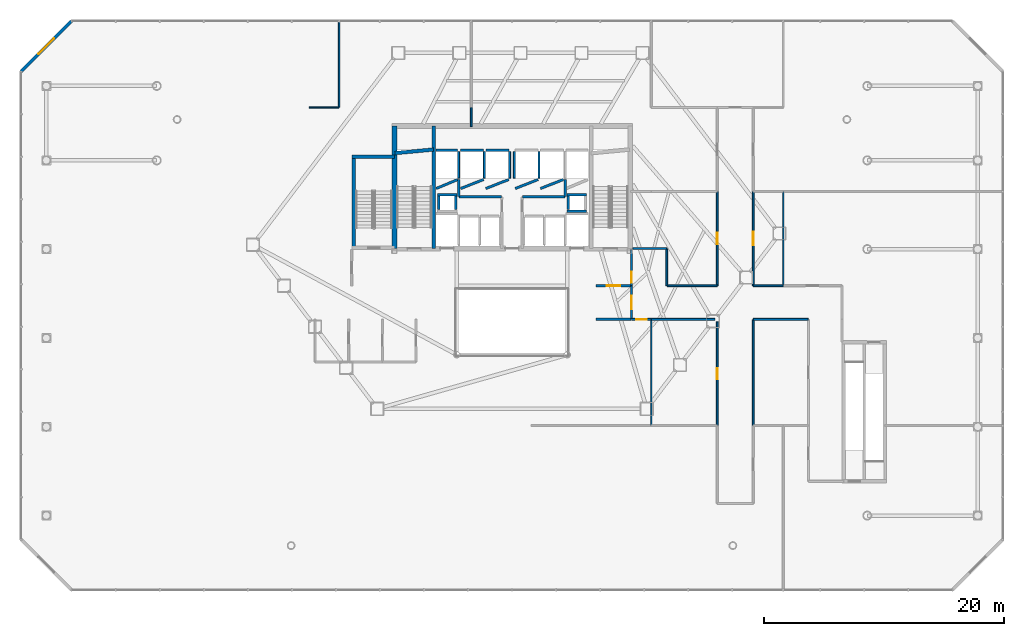
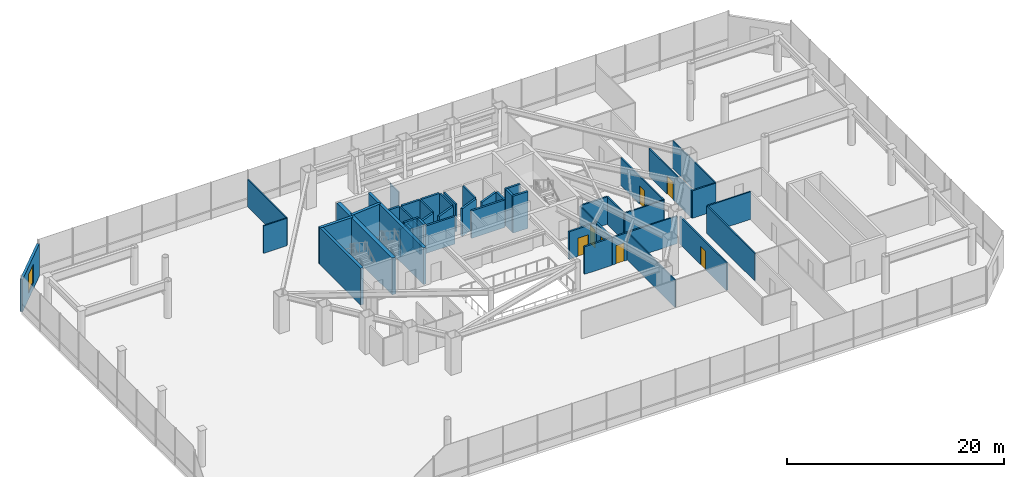
# One storey, part 39 of 43: 49 walls, 7 doors, 1 window, 8 openings.
"""IFC4 building model written with IfcOpenShell, lengths in metres."""

from ifc_helpers import new_model, si_unit, direction, frame, frame_2d, origin, place, context, subcontext, project, spatial, rectangle, extrude, material, layer, layer_set, type_object, element, fill, save


model = new_model("IFC4")

# Units and contexts
model_context = context("Model", 3, precision=1e-05, world=origin(), true_north=direction((0.0, 1.0)))
body_context = subcontext(model_context, "Body", "Model", "MODEL_VIEW")
ifc_project = project(units=[si_unit("LENGTHUNIT", "METRE"), si_unit("AREAUNIT", "SQUARE_METRE"), si_unit("VOLUMEUNIT", "CUBIC_METRE"), si_unit("PLANEANGLEUNIT", "RADIAN"), si_unit("MASSUNIT", "GRAM", prefix="KILO")], contexts=[model_context])

# Site, building, storey
site_placement = place(None, origin())
site = spatial("IfcSite", under=ifc_project, at=site_placement, CompositionType="ELEMENT")
building_placement = place(site_placement, origin())
building = spatial("IfcBuilding", under=site, at=building_placement, Name="Zarrinselat Tower", CompositionType="ELEMENT")
storey_placement = place(building_placement, frame((0.0, 0.0, 5.10009765625)))
storey = spatial("IfcBuildingStorey", under=building, at=storey_placement, Name="L01", CompositionType="ELEMENT", Elevation=5.10009765625)

# Wall, opening, window
ifc_material_1 = material(Name="Honed Cream Travertine Stone", Category="masonry")
ifc_layer_1 = layer(ifc_material_1, 0.260009765625)
ifc_layer_set_1 = layer_set([ifc_layer_1], Name="Honed Cream Travertine Stone")
wall_type_1 = type_object("IfcWallType", Name="WAL-EXT-STONE-260", PredefinedType="STANDARD", material=ifc_layer_set_1)
wall_1_placement = place(storey_placement, frame((-2.5, 48.0, 0.0), z_axis=(0.0, 0.0, 1.0), x_axis=(0.707106781187, 0.707106781187, 0.0)))
wall_1 = element("IfcWall", 1, at=wall_1_placement, inside=storey, type_object=wall_type_1, Name="L01 Chamfered Stone Corner Wall 5", PredefinedType="STANDARD", context=body_context, shape_type="SweptSolid", body=[
    extrude(rectangle(XDim=5.939697265625, YDim=0.260009765625, at=frame_2d((2.9697265625, 0.0))), origin(), (0.0, 0.0, 1.0), 3.64990234375),
])
opening_1_placement = place(wall_1_placement, frame((2.06982421875, 0.0, 0.699951171875)))
opening_1 = element("IfcOpeningElement", 2, at=opening_1_placement, cuts=wall_1, Name="Opening WN-2", PredefinedType="OPENING", context=body_context, shape_type="SweptSolid", body=[
    extrude(rectangle(XDim=1.800048828125, YDim=2.10009765625, at=frame_2d((0.89990234375, 1.050048828125))), frame((0.0, 0.139892578125, 0.0), z_axis=(0.0, -1.0, 0.0), x_axis=(1.0, 0.0, 0.0)), (0.0, 0.0, 1.0), 0.280029296875),
])
ifc_material_2 = material(Name="Double Low-E Laminated Solar Glass", Category="glass")
window_type = type_object("IfcWindowType", Name="WIN-GALLERY-1800", PartitioningType="SINGLE_PANEL", PredefinedType="WINDOW", material=ifc_material_2)
window_placement = place(opening_1_placement, origin())
window = element("IfcWindow", 3, at=window_placement, inside=storey, type_object=window_type, Name="L01 Corner Gallery Window 5", OverallHeight=2.10009765625, OverallWidth=1.800048828125, PartitioningType="SINGLE_PANEL", PredefinedType="WINDOW", context=body_context, shape_type="SweptSolid", body=[
    extrude(rectangle(XDim=1.800048828125, YDim=2.10009765625, at=frame_2d((0.89990234375, 1.050048828125))), frame((0.0, 0.030029296875, 0.0), z_axis=(0.0, -1.0, 0.0), x_axis=(1.0, 0.0, 0.0)), (0.0, 0.0, 1.0), 0.06005859375),
])
fill(opening_1, window)

# Wall, opening, door
ifc_material_3 = material(Name="Concrete C40/50", Category="concrete")
ifc_layer_2 = layer(ifc_material_3, 0.18994140625)
ifc_layer_set_2 = layer_set([ifc_layer_2], Name="Concrete C40/50")
wall_type_2 = type_object("IfcWallType", Name="WAL-PART-EI120", PredefinedType="PARTITIONING", material=ifc_layer_set_2)
wall_2_placement = place(storey_placement, frame((45.385009765625, 30.14990234375, 0.0), z_axis=(0.0, 0.0, 1.0), x_axis=(1.0, 0.0, 0.0)))
wall_2 = element("IfcWall", 4, at=wall_2_placement, inside=storey, type_object=wall_type_2, Name="L01 Partition Wall 7", PredefinedType="PARTITIONING", context=body_context, shape_type="SweptSolid", body=[
    extrude(rectangle(XDim=2.945068359375, YDim=0.18994140625, at=frame_2d((1.47265625, 0.0))), origin(), (0.0, 0.0, 1.0), 3.096923828125),
])
opening_2_placement = place(wall_2_placement, frame((0.91259765625, 0.0, 0.0)))
opening_2 = element("IfcOpeningElement", 5, at=opening_2_placement, cuts=wall_2, Name="Opening ID-02", PredefinedType="OPENING", context=body_context, shape_type="SweptSolid", body=[
    extrude(rectangle(XDim=1.1201171875, YDim=2.050048828125, at=frame_2d((0.56005859375, 1.02490234375))), frame((0.0, 0.10498046875, 0.0), z_axis=(0.0, -1.0, 0.0), x_axis=(1.0, 0.0, 0.0)), (0.0, 0.0, 1.0), 0.2099609375),
])
ifc_material_4 = material(Name="Steel S355J2", Category="steel")
door_type_1 = type_object("IfcDoorType", Name="DR-INT-FD60-W", OperationType="NOTDEFINED", PredefinedType="DOOR", material=ifc_material_4)
door_1_placement = place(opening_2_placement, origin())
door_1 = element("IfcDoor", 6, at=door_1_placement, inside=storey, type_object=door_type_1, Name="L01 Interior Door P7", OperationType="SINGLE_SWING_RIGHT", OverallHeight=2.050048828125, OverallWidth=1.1201171875, PredefinedType="DOOR", context=body_context, shape_type="SweptSolid", body=[
    extrude(rectangle(XDim=1.1201171875, YDim=2.050048828125, at=frame_2d((0.56005859375, 1.02490234375))), frame((0.0, 0.02490234375, 0.0), z_axis=(0.0, -1.0, 0.0), x_axis=(1.0, 0.0, 0.0)), (0.0, 0.0, 1.0), 0.050048828125),
])
fill(opening_2, door_1)

wall_3_placement = place(storey_placement, frame((48.35009765625, 27.3701171875, 0.0), z_axis=(0.0, 0.0, 1.0), x_axis=(0.0, 1.0, 0.0)))
wall_3 = element("IfcWall", 7, at=wall_3_placement, inside=storey, type_object=wall_type_2, Name="L01 Partition Wall 10", PredefinedType="PARTITIONING", context=body_context, shape_type="SweptSolid", body=[
    extrude(rectangle(XDim=2.759765625, YDim=0.18994140625, at=frame_2d((1.3798828125, 0.0))), origin(), (0.0, 0.0, 1.0), 3.096923828125),
])
opening_3_placement = place(wall_3_placement, frame((0.820068359375, 0.0, 0.0)))
opening_3 = element("IfcOpeningElement", 8, at=opening_3_placement, cuts=wall_3, Name="Opening ID-02", PredefinedType="OPENING", context=body_context, shape_type="SweptSolid", body=[
    extrude(rectangle(XDim=1.1201171875, YDim=2.050048828125, at=frame_2d((0.56005859375, 1.02490234375))), frame((0.0, 0.10498046875, 0.0), z_axis=(0.0, -1.0, 0.0), x_axis=(1.0, 0.0, 0.0)), (0.0, 0.0, 1.0), 0.2099609375),
])
door_2_placement = place(opening_3_placement, origin())
door_2 = element("IfcDoor", 9, at=door_2_placement, inside=storey, type_object=door_type_1, Name="L01 Interior Door P10", OperationType="SINGLE_SWING_LEFT", OverallHeight=2.050048828125, OverallWidth=1.1201171875, PredefinedType="DOOR", context=body_context, shape_type="SweptSolid", body=[
    extrude(rectangle(XDim=1.1201171875, YDim=2.050048828125, at=frame_2d((0.56005859375, 1.02490234375))), frame((0.0, 0.02490234375, 0.0), z_axis=(0.0, -1.0, 0.0), x_axis=(1.0, 0.0, 0.0)), (0.0, 0.0, 1.0), 0.050048828125),
])
fill(opening_3, door_2)

# Wall
wall_4_placement = place(storey_placement, frame((45.39990234375, 27.35009765625, 0.0), z_axis=(0.0, 0.0, 1.0), x_axis=(1.0, 0.0, 0.0)))
element("IfcWall", 10, at=wall_4_placement, inside=storey, type_object=wall_type_2, Name="L01 Partition Wall 11", PredefinedType="PARTITIONING", context=body_context, shape_type="SweptSolid", body=[
    extrude(rectangle(XDim=2.93017578125, YDim=0.18994140625, at=frame_2d((1.465087890625, 0.0))), origin(), (0.0, 0.0, 1.0), 3.096923828125),
])

# Wall, opening, door
ifc_material_5 = material(Name="Fire-Rated Gypsum Board Partition", Category="gypsum")
ifc_layer_3 = layer(ifc_material_5, 0.14990234375)
ifc_layer_set_3 = layer_set([ifc_layer_3], Name="Fire-Rated Gypsum Board Partition")
wall_type_3 = type_object("IfcWallType", Name="WAL-PART-EI60", PredefinedType="PARTITIONING", material=ifc_layer_set_3)
wall_5_placement = place(storey_placement, frame((48.35009765625, 30.169921875, 0.0), z_axis=(0.0, 0.0, 1.0), x_axis=(0.0, 1.0, 0.0)))
wall_5 = element("IfcWall", 11, at=wall_5_placement, inside=storey, type_object=wall_type_3, Name="L01 Partition Wall 8", PredefinedType="PARTITIONING", context=body_context, shape_type="SweptSolid", body=[
    extrude(rectangle(XDim=2.97509765625, YDim=0.14990234375, at=frame_2d((1.487548828125, 0.0))), origin(), (0.0, 0.0, 1.0), 3.096923828125),
])
opening_4_placement = place(wall_5_placement, frame((0.25, 0.0, 0.0)))
opening_4 = element("IfcOpeningElement", 12, at=opening_4_placement, cuts=wall_5, Name="Opening ID-03", PredefinedType="OPENING", context=body_context, shape_type="SweptSolid", body=[
    extrude(rectangle(XDim=0.8798828125, YDim=2.050048828125, at=frame_2d((0.43994140625, 1.02490234375))), frame((0.0, 0.0849609375, 0.0), z_axis=(0.0, -1.0, 0.0), x_axis=(1.0, 0.0, 0.0)), (0.0, 0.0, 1.0), 0.169921875),
])
ifc_material_6 = material(Name="Steel S355J2", Category="steel")
door_type_2 = type_object("IfcDoorType", Name="DR-INT-FD60-S", OperationType="NOTDEFINED", PredefinedType="DOOR", material=ifc_material_6)
door_3_placement = place(opening_4_placement, origin())
door_3 = element("IfcDoor", 13, at=door_3_placement, inside=storey, type_object=door_type_2, Name="L01 Interior Door P8", OperationType="SINGLE_SWING_LEFT", OverallHeight=2.050048828125, OverallWidth=0.8798828125, PredefinedType="DOOR", context=body_context, shape_type="SweptSolid", body=[
    extrude(rectangle(XDim=0.8798828125, YDim=2.050048828125, at=frame_2d((0.43994140625, 1.02490234375))), frame((0.0, 0.02490234375, 0.0), z_axis=(0.0, -1.0, 0.0), x_axis=(1.0, 0.0, 0.0)), (0.0, 0.0, 1.0), 0.050048828125),
])
fill(opening_4, door_3)

wall_6_placement = place(storey_placement, frame((48.3701171875, 27.35009765625, 0.0), z_axis=(0.0, 0.0, 1.0), x_axis=(1.0, 0.0, 0.0)))
wall_6 = element("IfcWall", 14, at=wall_6_placement, inside=storey, type_object=wall_type_3, Name="L01 Partition Wall 17", PredefinedType="PARTITIONING", context=body_context, shape_type="SweptSolid", body=[
    extrude(rectangle(XDim=1.625, YDim=0.14990234375, at=frame_2d((0.8125, 0.0))), origin(), (0.0, 0.0, 1.0), 3.096923828125),
])
opening_5_placement = place(wall_6_placement, frame((0.37255859375, 0.0, 0.0)))
opening_5 = element("IfcOpeningElement", 15, at=opening_5_placement, cuts=wall_6, Name="Opening ID-03", PredefinedType="OPENING", context=body_context, shape_type="SweptSolid", body=[
    extrude(rectangle(XDim=0.8798828125, YDim=2.050048828125, at=frame_2d((0.43994140625, 1.02490234375))), frame((0.0, 0.0849609375, 0.0), z_axis=(0.0, -1.0, 0.0), x_axis=(1.0, 0.0, 0.0)), (0.0, 0.0, 1.0), 0.169921875),
])
door_4_placement = place(opening_5_placement, origin())
door_4 = element("IfcDoor", 16, at=door_4_placement, inside=storey, type_object=door_type_2, Name="L01 Interior Door P17", OperationType="SINGLE_SWING_RIGHT", OverallHeight=2.050048828125, OverallWidth=0.8798828125, PredefinedType="DOOR", context=body_context, shape_type="SweptSolid", body=[
    extrude(rectangle(XDim=0.8798828125, YDim=2.050048828125, at=frame_2d((0.43994140625, 1.02490234375))), frame((0.0, 0.02490234375, 0.0), z_axis=(0.0, -1.0, 0.0), x_axis=(1.0, 0.0, 0.0)), (0.0, 0.0, 1.0), 0.050048828125),
])
fill(opening_5, door_4)

wall_7_placement = place(storey_placement, frame((55.5, 18.5048828125, 0.0), z_axis=(0.0, 0.0, 1.0), x_axis=(0.0, 1.0, 0.0)))
wall_7 = element("IfcWall", 17, at=wall_7_placement, inside=storey, type_object=wall_type_3, Name="L01 Partition Wall 18", PredefinedType="PARTITIONING", context=body_context, shape_type="SweptSolid", body=[
    extrude(rectangle(XDim=8.64306640625, YDim=0.14990234375, at=frame_2d((4.321533203125, 0.0))), origin(), (0.0, 0.0, 1.0), 3.096923828125),
])
opening_6_placement = place(wall_7_placement, frame((3.8515625, 0.0, 0.0)))
opening_6 = element("IfcOpeningElement", 18, at=opening_6_placement, cuts=wall_7, Name="Opening ID-04", PredefinedType="OPENING", context=body_context, shape_type="SweptSolid", body=[
    extrude(rectangle(XDim=0.93994140625, YDim=2.050048828125, at=frame_2d((0.469970703125, 1.02490234375))), frame((0.0, 0.0849609375, 0.0), z_axis=(0.0, -1.0, 0.0), x_axis=(1.0, 0.0, 0.0)), (0.0, 0.0, 1.0), 0.169921875),
])
ifc_material_7 = material(Name="Fire-Rated Gypsum Board Partition")
door_type_3 = type_object("IfcDoorType", Name="DR-INT-FD30-ENT", OperationType="NOTDEFINED", PredefinedType="DOOR", material=ifc_material_7)
door_5_placement = place(opening_6_placement, origin())
door_5 = element("IfcDoor", 19, at=door_5_placement, inside=storey, type_object=door_type_3, Name="L01 Interior Door P18", OperationType="SINGLE_SWING_LEFT", OverallHeight=2.050048828125, OverallWidth=0.93994140625, PredefinedType="DOOR", context=body_context, shape_type="SweptSolid", body=[
    extrude(rectangle(XDim=0.93994140625, YDim=2.050048828125, at=frame_2d((0.469970703125, 1.02490234375))), frame((0.0, 0.02490234375, 0.0), z_axis=(0.0, -1.0, 0.0), x_axis=(1.0, 0.0, 0.0)), (0.0, 0.0, 1.0), 0.050048828125),
])
fill(opening_6, door_5)

# Walls
wall_8_placement = place(storey_placement, frame((50.0048828125, 27.35009765625, 0.0), z_axis=(0.0, 0.0, 1.0), x_axis=(1.0, 0.0, 0.0)))
element("IfcWall", 20, at=wall_8_placement, inside=storey, type_object=wall_type_3, Name="L01 Partition Wall 19", PredefinedType="PARTITIONING", context=body_context, shape_type="SweptSolid", body=[
    extrude(rectangle(XDim=5.293212890625, YDim=0.14990234375, at=frame_2d((2.646484375, 0.0))), origin(), (0.0, 0.0, 1.0), 3.096923828125),
])
wall_9_placement = place(storey_placement, frame((58.52001953125, 27.35009765625, 0.0), z_axis=(0.0, 0.0, 1.0), x_axis=(1.0, 0.0, 0.0)))
element("IfcWall", 21, at=wall_9_placement, inside=storey, type_object=wall_type_3, Name="L01 Partition Wall 21", PredefinedType="PARTITIONING", context=body_context, shape_type="SweptSolid", body=[
    extrude(rectangle(XDim=4.56005859375, YDim=0.14990234375, at=frame_2d((2.280029296875, 0.0))), origin(), (0.0, 0.0, 1.0), 3.096923828125),
])
wall_10_placement = place(storey_placement, frame((58.5, 18.5048828125, 0.0), z_axis=(0.0, 0.0, 1.0), x_axis=(0.0, 1.0, 0.0)))
element("IfcWall", 22, at=wall_10_placement, inside=storey, type_object=wall_type_3, Name="L01 Partition Wall 22", PredefinedType="PARTITIONING", context=body_context, shape_type="SweptSolid", body=[
    extrude(rectangle(XDim=8.8251953125, YDim=0.14990234375, at=frame_2d((4.41259765625, 0.0))), origin(), (0.0, 0.0, 1.0), 3.096923828125),
])

# Wall, opening, door
wall_11_placement = place(storey_placement, frame((58.5, 30.169921875, 0.0), z_axis=(0.0, 0.0, 1.0), x_axis=(0.0, 1.0, 0.0)))
wall_11 = element("IfcWall", 23, at=wall_11_placement, inside=storey, type_object=wall_type_3, Name="L01 Partition Wall 26", PredefinedType="PARTITIONING", context=body_context, shape_type="SweptSolid", body=[
    extrude(rectangle(XDim=7.8251953125, YDim=0.14990234375, at=frame_2d((3.91259765625, 0.0))), origin(), (0.0, 0.0, 1.0), 3.096923828125),
])
opening_7_placement = place(wall_11_placement, frame((3.3525390625, 0.0, 0.0)))
opening_7 = element("IfcOpeningElement", 24, at=opening_7_placement, cuts=wall_11, Name="Opening ID-02", PredefinedType="OPENING", context=body_context, shape_type="SweptSolid", body=[
    extrude(rectangle(XDim=1.1201171875, YDim=2.050048828125, at=frame_2d((0.56005859375, 1.02490234375))), frame((0.0, 0.0849609375, 0.0), z_axis=(0.0, -1.0, 0.0), x_axis=(1.0, 0.0, 0.0)), (0.0, 0.0, 1.0), 0.169921875),
])
door_6_placement = place(opening_7_placement, origin())
door_6 = element("IfcDoor", 25, at=door_6_placement, inside=storey, type_object=door_type_1, Name="L01 Interior Door P26", OperationType="SINGLE_SWING_RIGHT", OverallHeight=2.050048828125, OverallWidth=1.1201171875, PredefinedType="DOOR", context=body_context, shape_type="SweptSolid", body=[
    extrude(rectangle(XDim=1.1201171875, YDim=2.050048828125, at=frame_2d((0.56005859375, 1.02490234375))), frame((0.0, 0.02490234375, 0.0), z_axis=(0.0, -1.0, 0.0), x_axis=(1.0, 0.0, 0.0)), (0.0, 0.0, 1.0), 0.050048828125),
])
fill(opening_7, door_6)

# Walls
wall_12_placement = place(storey_placement, frame((58.52001953125, 30.14990234375, 0.0), z_axis=(0.0, 0.0, 1.0), x_axis=(1.0, 0.0, 0.0)))
element("IfcWall", 26, at=wall_12_placement, inside=storey, type_object=wall_type_3, Name="L01 Partition Wall 27", PredefinedType="PARTITIONING", context=body_context, shape_type="SweptSolid", body=[
    extrude(rectangle(XDim=2.47509765625, YDim=0.14990234375, at=frame_2d((1.237548828125, 0.0))), origin(), (0.0, 0.0, 1.0), 3.096923828125),
])
wall_13_placement = place(storey_placement, frame((48.477783203125, 33.25, 0.0), z_axis=(0.0, 0.0, 1.0), x_axis=(1.0, 0.0, 0.0)))
element("IfcWall", 27, at=wall_13_placement, inside=storey, type_object=wall_type_3, Name="L01 Partition Wall 28", PredefinedType="PARTITIONING", context=body_context, shape_type="SweptSolid", body=[
    extrude(rectangle(XDim=2.80224609375, YDim=0.14990234375, at=frame_2d((1.401123046875, 0.0))), origin(), (0.0, 0.0, 1.0), 3.096923828125),
])
wall_14_placement = place(storey_placement, frame((51.300048828125, 30.169921875, 0.0), z_axis=(0.0, 0.0, 1.0), x_axis=(0.0, 1.0, 0.0)))
element("IfcWall", 28, at=wall_14_placement, inside=storey, type_object=wall_type_3, Name="L01 Partition Wall 29", PredefinedType="PARTITIONING", context=body_context, shape_type="SweptSolid", body=[
    extrude(rectangle(XDim=3.06005859375, YDim=0.14990234375, at=frame_2d((1.530029296875, 0.0))), origin(), (0.0, 0.0, 1.0), 3.096923828125),
])
wall_15_placement = place(storey_placement, frame((51.320068359375, 30.14990234375, 0.0), z_axis=(0.0, 0.0, 1.0), x_axis=(1.0, 0.0, 0.0)))
element("IfcWall", 29, at=wall_15_placement, inside=storey, type_object=wall_type_3, Name="L01 Partition Wall 30", PredefinedType="PARTITIONING", context=body_context, shape_type="SweptSolid", body=[
    extrude(rectangle(XDim=4.159912109375, YDim=0.14990234375, at=frame_2d((2.080078125, 0.0))), origin(), (0.0, 0.0, 1.0), 3.096923828125),
])

# Wall, opening, door
wall_16_placement = place(storey_placement, frame((55.5, 30.169921875, 0.0), z_axis=(0.0, 0.0, 1.0), x_axis=(0.0, 1.0, 0.0)))
wall_16 = element("IfcWall", 30, at=wall_16_placement, inside=storey, type_object=wall_type_3, Name="L01 Partition Wall 31", PredefinedType="PARTITIONING", context=body_context, shape_type="SweptSolid", body=[
    extrude(rectangle(XDim=7.8251953125, YDim=0.14990234375, at=frame_2d((3.91259765625, 0.0))), origin(), (0.0, 0.0, 1.0), 3.096923828125),
])
opening_8_placement = place(wall_16_placement, frame((3.4423828125, 0.0, 0.0)))
opening_8 = element("IfcOpeningElement", 31, at=opening_8_placement, cuts=wall_16, Name="Opening ID-04", PredefinedType="OPENING", context=body_context, shape_type="SweptSolid", body=[
    extrude(rectangle(XDim=0.93994140625, YDim=2.050048828125, at=frame_2d((0.469970703125, 1.02490234375))), frame((0.0, 0.0849609375, 0.0), z_axis=(0.0, -1.0, 0.0), x_axis=(1.0, 0.0, 0.0)), (0.0, 0.0, 1.0), 0.169921875),
])
door_7_placement = place(opening_8_placement, origin())
door_7 = element("IfcDoor", 32, at=door_7_placement, inside=storey, type_object=door_type_3, Name="L01 Interior Door P31", OperationType="SINGLE_SWING_LEFT", OverallHeight=2.050048828125, OverallWidth=0.93994140625, PredefinedType="DOOR", context=body_context, shape_type="SweptSolid", body=[
    extrude(rectangle(XDim=0.93994140625, YDim=2.050048828125, at=frame_2d((0.469970703125, 1.02490234375))), frame((0.0, 0.02490234375, 0.0), z_axis=(0.0, -1.0, 0.0), x_axis=(1.0, 0.0, 0.0)), (0.0, 0.0, 1.0), 0.050048828125),
])
fill(opening_8, door_7)

# Walls
ifc_material_8 = material(Name="Concrete C40/50", Category="concrete")
ifc_layer_4 = layer(ifc_material_8, 0.199951171875)
ifc_layer_set_4 = layer_set([ifc_layer_4], Name="Concrete C40/50")
wall_type_4 = type_object("IfcWallType", Name="WAL-PART-PLANT", PredefinedType="PARTITIONING", material=ifc_layer_set_4)
wall_17_placement = place(storey_placement, frame((33.969970703125, 37.550048828125, 0.0), z_axis=(0.0, 0.0, 1.0), x_axis=(1.0, 0.0, 0.0)))
element("IfcWall", 33, at=wall_17_placement, inside=storey, type_object=wall_type_4, Name="L01 Partition Wall 2", PredefinedType="PARTITIONING", context=body_context, shape_type="SweptSolid", body=[
    extrude(rectangle(XDim=3.56005859375, YDim=0.199951171875, at=frame_2d((1.780029296875, 0.0))), origin(), (0.0, 0.0, 1.0), 3.096923828125),
])
for number, where, z_axis, x_axis, name in (
    (34, (33.949951171875, 37.570068359375, 0.0), (0.0, 0.0, 1.0), (0.0, 1.0, 0.0), "L01 Partition Wall 3"),
    (35, (42.85009765625, 37.570068359375, 0.0), (0.0, 0.0, 1.0), (0.0, 1.0, 0.0), "L01 Partition Wall 4"),
):
    element("IfcWall", number, at=place(storey_placement, frame(where, z_axis=z_axis, x_axis=x_axis)), inside=storey, type_object=wall_type_4, Name=name, PredefinedType="PARTITIONING", context=body_context, shape_type="SweptSolid", body=[
        extrude(rectangle(XDim=1.4150390625, YDim=0.199951171875, at=frame_2d((0.70751953125, 0.0))), origin(), (0.0, 0.0, 1.0), 3.096923828125),
    ])
wall_18_placement = place(storey_placement, frame((39.27001953125, 37.550048828125, 0.0), z_axis=(0.0, 0.0, 1.0), x_axis=(1.0, 0.0, 0.0)))
element("IfcWall", 36, at=wall_18_placement, inside=storey, type_object=wall_type_4, Name="L01 Partition Wall 5", PredefinedType="PARTITIONING", context=body_context, shape_type="SweptSolid", body=[
    extrude(rectangle(XDim=3.56005859375, YDim=0.199951171875, at=frame_2d((1.780029296875, 0.0))), origin(), (0.0, 0.0, 1.0), 3.096923828125),
])
ifc_material_9 = material(Name="Fire-Rated Gypsum Board Partition", Category="gypsum")
ifc_layer_5 = layer(ifc_material_9, 0.1201171875)
ifc_layer_set_5 = layer_set([ifc_layer_5], Name="Fire-Rated Gypsum Board Partition")
wall_type_5 = type_object("IfcWallType", Name="WAL-PART-STD", PredefinedType="PARTITIONING", material=ifc_layer_set_5)
wall_19_placement = place(storey_placement, frame((24.0, 45.02001953125, 0.0), z_axis=(0.0, 0.0, 1.0), x_axis=(0.0, 1.0, 0.0)))
element("IfcWall", 37, at=wall_19_placement, inside=storey, type_object=wall_type_5, Name="L01 Partition Wall 46", PredefinedType="PARTITIONING", context=body_context, shape_type="SweptSolid", body=[
    extrude(rectangle(XDim=7.1650390625, YDim=0.1201171875, at=frame_2d((3.58251953125, 0.0))), origin(), (0.0, 0.0, 1.0), 3.096923828125),
])
wall_20_placement = place(storey_placement, frame((21.5, 45.0, 0.0), z_axis=(0.0, 0.0, 1.0), x_axis=(1.0, 0.0, 0.0)))
element("IfcWall", 38, at=wall_20_placement, inside=storey, type_object=wall_type_5, Name="L01 Partition Wall 47", PredefinedType="PARTITIONING", context=body_context, shape_type="SweptSolid", body=[
    extrude(rectangle(XDim=2.47998046875, YDim=0.1201171875, at=frame_2d((1.239990234375, 0.0))), origin(), (0.0, 0.0, 1.0), 3.096923828125),
])
wall_21_placement = place(storey_placement, frame((50.0, 18.52001953125, 0.0), z_axis=(0.0, 0.0, 1.0), x_axis=(0.0, 1.0, 0.0)))
element("IfcWall", 39, at=wall_21_placement, inside=storey, type_object=wall_type_5, Name="L01 Partition Wall 50", PredefinedType="PARTITIONING", context=body_context, shape_type="SweptSolid", body=[
    extrude(rectangle(XDim=8.81005859375, YDim=0.1201171875, at=frame_2d((4.405029296875, 0.0))), origin(), (0.0, 0.0, 1.0), 3.096923828125),
])
wall_22_placement = place(storey_placement, frame((61.0, 30.169921875, 0.0), z_axis=(0.0, 0.0, 1.0), x_axis=(0.0, 1.0, 0.0)))
element("IfcWall", 40, at=wall_22_placement, inside=storey, type_object=wall_type_5, Name="L01 Partition Wall 51", PredefinedType="PARTITIONING", context=body_context, shape_type="SweptSolid", body=[
    extrude(rectangle(XDim=7.81005859375, YDim=0.1201171875, at=frame_2d((3.905029296875, 0.0))), origin(), (0.0, 0.0, 1.0), 3.096923828125),
])
ifc_material_10 = material(Name="Fire-Rated Gypsum Board Partition", Category="gypsum")
ifc_layer_6 = layer(ifc_material_10, 0.135009765625)
ifc_layer_set_6 = layer_set([ifc_layer_6], Name="Fire-Rated Gypsum Board Partition")
wall_type_6 = type_object("IfcWallType", Name="WAL-PART-WET", PredefinedType="PARTITIONING", material=ifc_layer_set_6)
wall_23_placement = place(storey_placement, frame((35.0, 43.4150390625, 0.0), z_axis=(0.0, 0.0, 1.0), x_axis=(0.0, 1.0, 0.0)))
element("IfcWall", 41, at=wall_23_placement, inside=storey, type_object=wall_type_6, Name="L01 Partition Wall 54", PredefinedType="PARTITIONING", context=body_context, shape_type="SweptSolid", body=[
    extrude(rectangle(XDim=1.5849609375, YDim=0.135009765625, at=frame_2d((0.79248046875, 0.0))), origin(), (0.0, 0.0, 1.0), 3.096923828125),
])
ifc_material_11 = material(Name="Concrete C40/50", Category="concrete")
ifc_layer_7 = layer(ifc_material_11, 0.2099609375)
ifc_layer_set_7 = layer_set([ifc_layer_7], Name="Concrete C40/50")
wall_type_7 = type_object("IfcWallType", Name="WAL-SHAFT-210", PredefinedType="SOLIDWALL", material=ifc_layer_set_7)
wall_24_placement = place(storey_placement, frame((32.080078125, 38.25, 0.0), z_axis=(0.0, 0.0, 1.0), x_axis=(0.923062104416, 0.384650947472, 0.0)))
element("IfcWall", 42, at=wall_24_placement, inside=storey, type_object=wall_type_7, Name="L01 Lift BSL1 Front Shaft Wall", PredefinedType="SOLIDWALL", context=body_context, shape_type="SweptSolid", body=[
    extrude(rectangle(XDim=1.94970703125, YDim=0.2099609375, at=frame_2d((0.974853515625, 0.0))), origin(), (0.0, 0.0, 1.0), 3.11181640625),
])
wall_25_placement = place(storey_placement, frame((32.080078125, 41.455078125, 0.0), z_axis=(0.0, 0.0, 1.0), x_axis=(1.0, 0.0, 0.0)))
element("IfcWall", 43, at=wall_25_placement, inside=storey, type_object=wall_type_7, Name="L01 Lift BSL1 Rear Shaft Wall", PredefinedType="SOLIDWALL", context=body_context, shape_type="SweptSolid", body=[
    extrude(rectangle(XDim=1.7998046875, YDim=0.2099609375, at=frame_2d((0.89990234375, 0.0))), origin(), (0.0, 0.0, 1.0), 3.11181640625),
])
wall_26_placement = place(storey_placement, frame((33.949951171875, 39.1201171875, 0.0), z_axis=(0.0, 0.0, 1.0), x_axis=(0.0, 1.0, 0.0)))
element("IfcWall", 44, at=wall_26_placement, inside=storey, type_object=wall_type_7, Name="L01 Lift BSL1 E Shaft Wall", PredefinedType="SOLIDWALL", context=body_context, shape_type="SweptSolid", body=[
    extrude(rectangle(XDim=2.2099609375, YDim=0.159912109375, at=frame_2d((1.10498046875, 0.0))), origin(), (0.0, 0.0, 1.0), 3.11181640625),
])
wall_27_placement = place(storey_placement, frame((34.1201171875, 38.25, 0.0), z_axis=(0.0, 0.0, 1.0), x_axis=(0.930804993012, 0.36551616241, 0.0)))
element("IfcWall", 45, at=wall_27_placement, inside=storey, type_object=wall_type_7, Name="L01 Lift PL1 Front Shaft Wall", PredefinedType="SOLIDWALL", context=body_context, shape_type="SweptSolid", body=[
    extrude(rectangle(XDim=2.052001953125, YDim=0.2099609375, at=frame_2d((1.02587890625, 0.0))), origin(), (0.0, 0.0, 1.0), 3.11181640625),
])
wall_28_placement = place(storey_placement, frame((34.1201171875, 41.455078125, 0.0), z_axis=(0.0, 0.0, 1.0), x_axis=(1.0, 0.0, 0.0)))
element("IfcWall", 46, at=wall_28_placement, inside=storey, type_object=wall_type_7, Name="L01 Lift PL1 Rear Shaft Wall", PredefinedType="SOLIDWALL", context=body_context, shape_type="SweptSolid", body=[
    extrude(rectangle(XDim=1.909912109375, YDim=0.2099609375, at=frame_2d((0.955078125, 0.0))), origin(), (0.0, 0.0, 1.0), 3.11181640625),
])
wall_29_placement = place(storey_placement, frame((36.10009765625, 39.1201171875, 0.0), z_axis=(0.0, 0.0, 1.0), x_axis=(0.0, 1.0, 0.0)))
element("IfcWall", 47, at=wall_29_placement, inside=storey, type_object=wall_type_7, Name="L01 Lift PL1 E Shaft Wall", PredefinedType="SOLIDWALL", context=body_context, shape_type="SweptSolid", body=[
    extrude(rectangle(XDim=2.2099609375, YDim=0.159912109375, at=frame_2d((1.10498046875, 0.0))), origin(), (0.0, 0.0, 1.0), 3.11181640625),
])
wall_30_placement = place(storey_placement, frame((36.219970703125, 38.25, 0.0), z_axis=(0.0, 0.0, 1.0), x_axis=(0.930804993012, 0.36551616241, 0.0)))
element("IfcWall", 48, at=wall_30_placement, inside=storey, type_object=wall_type_7, Name="L01 Lift PL2 Front Shaft Wall", PredefinedType="SOLIDWALL", context=body_context, shape_type="SweptSolid", body=[
    extrude(rectangle(XDim=2.052001953125, YDim=0.2099609375, at=frame_2d((1.02587890625, 0.0))), origin(), (0.0, 0.0, 1.0), 3.11181640625),
])
wall_31_placement = place(storey_placement, frame((36.219970703125, 41.455078125, 0.0), z_axis=(0.0, 0.0, 1.0), x_axis=(1.0, 0.0, 0.0)))
element("IfcWall", 49, at=wall_31_placement, inside=storey, type_object=wall_type_7, Name="L01 Lift PL2 Rear Shaft Wall", PredefinedType="SOLIDWALL", context=body_context, shape_type="SweptSolid", body=[
    extrude(rectangle(XDim=1.909912109375, YDim=0.2099609375, at=frame_2d((0.955078125, 0.0))), origin(), (0.0, 0.0, 1.0), 3.11181640625),
])
wall_32_placement = place(storey_placement, frame((38.199951171875, 39.1201171875, 0.0), z_axis=(0.0, 0.0, 1.0), x_axis=(0.0, 1.0, 0.0)))
element("IfcWall", 50, at=wall_32_placement, inside=storey, type_object=wall_type_7, Name="L01 Lift PL2 E Shaft Wall", PredefinedType="SOLIDWALL", context=body_context, shape_type="SweptSolid", body=[
    extrude(rectangle(XDim=2.2099609375, YDim=0.159912109375, at=frame_2d((1.10498046875, 0.0))), origin(), (0.0, 0.0, 1.0), 3.11181640625),
])
wall_33_placement = place(storey_placement, frame((38.669921875, 38.25, 0.0), z_axis=(0.0, 0.0, 1.0), x_axis=(0.930820886763, 0.3654756856, 0.0)))
element("IfcWall", 51, at=wall_33_placement, inside=storey, type_object=wall_type_7, Name="L01 Lift PL3 Front Shaft Wall", PredefinedType="SOLIDWALL", context=body_context, shape_type="SweptSolid", body=[
    extrude(rectangle(XDim=2.052001953125, YDim=0.2099609375, at=frame_2d((1.02587890625, 0.0))), origin(), (0.0, 0.0, 1.0), 3.11181640625),
])
for number, where, z_axis, x_axis, name in (
    (52, (38.60009765625, 39.1201171875, 0.0), (0.0, 0.0, 1.0), (0.0, 1.0, 0.0), "L01 Lift PL3 W Shaft Wall"),
    (53, (40.64990234375, 39.1201171875, 0.0), (0.0, 0.0, 1.0), (0.0, 1.0, 0.0), "L01 Lift PL3 E Shaft Wall"),
):
    element("IfcWall", number, at=place(storey_placement, frame(where, z_axis=z_axis, x_axis=x_axis)), inside=storey, type_object=wall_type_7, Name=name, PredefinedType="SOLIDWALL", context=body_context, shape_type="SweptSolid", body=[
        extrude(rectangle(XDim=2.2099609375, YDim=0.159912109375, at=frame_2d((1.10498046875, 0.0))), origin(), (0.0, 0.0, 1.0), 3.11181640625),
    ])
wall_34_placement = place(storey_placement, frame((40.77001953125, 38.25, 0.0), z_axis=(0.0, 0.0, 1.0), x_axis=(0.930804993012, 0.36551616241, 0.0)))
element("IfcWall", 54, at=wall_34_placement, inside=storey, type_object=wall_type_7, Name="L01 Lift PL4 Front Shaft Wall", PredefinedType="SOLIDWALL", context=body_context, shape_type="SweptSolid", body=[
    extrude(rectangle(XDim=2.052001953125, YDim=0.2099609375, at=frame_2d((1.02587890625, 0.0))), origin(), (0.0, 0.0, 1.0), 3.11181640625),
])
wall_35_placement = place(storey_placement, frame((32.2099609375, 37.7451171875, 0.0), z_axis=(0.0, 0.0, 1.0), x_axis=(1.0, 0.0, 0.0)))
element("IfcWall", 55, at=wall_35_placement, inside=storey, type_object=wall_type_7, Name="L01 Core Riser RSR-W N Shaft Wall", PredefinedType="SOLIDWALL", context=body_context, shape_type="SweptSolid", body=[
    extrude(rectangle(XDim=1.60009765625, YDim=0.2099609375, at=frame_2d((0.800048828125, 0.0))), origin(), (0.0, 0.0, 1.0), 4.139892578125),
])
for number, where, z_axis, x_axis, name in (
    (56, (32.31494140625, 36.485107421875, 0.0), (0.0, 0.0, 1.0), (0.0, 1.0, 0.0), "L01 Core Riser RSR-W W Shaft Wall"),
    (57, (33.705078125, 36.485107421875, 0.0), (0.0, 0.0, 1.0), (0.0, 1.0, 0.0), "L01 Core Riser RSR-W E Shaft Wall"),
):
    element("IfcWall", number, at=place(storey_placement, frame(where, z_axis=z_axis, x_axis=x_axis)), inside=storey, type_object=wall_type_7, Name=name, PredefinedType="SOLIDWALL", context=body_context, shape_type="SweptSolid", body=[
        extrude(rectangle(XDim=1.14990234375, YDim=0.2099609375, at=frame_2d((0.574951171875, 0.0))), origin(), (0.0, 0.0, 1.0), 4.139892578125),
    ])
for number, where, z_axis, x_axis, name in (
    (58, (42.989990234375, 36.375, 0.0), (0.0, 0.0, 1.0), (1.0, 0.0, 0.0), "L01 Core Riser RSR-E S Shaft Wall"),
    (59, (42.989990234375, 37.7451171875, 0.0), (0.0, 0.0, 1.0), (1.0, 0.0, 0.0), "L01 Core Riser RSR-E N Shaft Wall"),
):
    element("IfcWall", number, at=place(storey_placement, frame(where, z_axis=z_axis, x_axis=x_axis)), inside=storey, type_object=wall_type_7, Name=name, PredefinedType="SOLIDWALL", context=body_context, shape_type="SweptSolid", body=[
        extrude(rectangle(XDim=1.60009765625, YDim=0.2099609375, at=frame_2d((0.800048828125, 0.0))), origin(), (0.0, 0.0, 1.0), 4.139892578125),
    ])
wall_36_placement = place(storey_placement, frame((43.094970703125, 36.485107421875, 0.0), z_axis=(0.0, 0.0, 1.0), x_axis=(0.0, 1.0, 0.0)))
element("IfcWall", 60, at=wall_36_placement, inside=storey, type_object=wall_type_7, Name="L01 Core Riser RSR-E W Shaft Wall", PredefinedType="SOLIDWALL", context=body_context, shape_type="SweptSolid", body=[
    extrude(rectangle(XDim=1.14990234375, YDim=0.2099609375, at=frame_2d((0.574951171875, 0.0))), origin(), (0.0, 0.0, 1.0), 4.139892578125),
])
ifc_material_12 = material(Name="Concrete C40/50", Category="concrete")
ifc_layer_8 = layer(ifc_material_12, 0.300048828125)
ifc_layer_set_8 = layer_set([ifc_layer_8], Name="Concrete C40/50")
wall_type_8 = type_object("IfcWallType", Name="WAL-SHEAR-300", PredefinedType="SHEAR", material=ifc_layer_set_8)
wall_37_placement = place(storey_placement, frame((31.8701171875, 33.25, 0.0), z_axis=(0.0, 0.0, 1.0), x_axis=(0.0, 1.0, 0.0)))
element("IfcWall", 61, at=wall_37_placement, inside=storey, type_object=wall_type_8, Name="L01 Core Shear Wall ST1E", PredefinedType="SHEAR", context=body_context, shape_type="SweptSolid", body=[
    extrude(rectangle(XDim=10.199951171875, YDim=0.300048828125, at=frame_2d((5.10009765625, 0.0))), origin(), (0.0, 0.0, 1.0), 4.139892578125),
])
wall_38_placement = place(storey_placement, frame((28.639892578125, 41.199951171875, 0.0), z_axis=(0.0, 0.0, 1.0), x_axis=(0.995687118776, 0.092774789157, 0.0)))
element("IfcWall", 62, at=wall_38_placement, inside=storey, type_object=wall_type_8, Name="L01 Stair 1 North Shaft Wall", PredefinedType="SHEAR", context=body_context, shape_type="SweptSolid", body=[
    extrude(rectangle(XDim=3.234130859375, YDim=0.300048828125, at=frame_2d((1.6171875, 0.0))), origin(), (0.0, 0.0, 1.0), 4.139892578125),
])
wall_39_placement = place(storey_placement, frame((25.080078125, 40.89990234375, 0.0), z_axis=(0.0, 0.0, 1.0), x_axis=(1.0, 0.0, 0.0)))
element("IfcWall", 63, at=wall_39_placement, inside=storey, type_object=wall_type_8, Name="L01 Stair 3 North Shear Wall", PredefinedType="SHEAR", context=body_context, shape_type="SweptSolid", body=[
    extrude(rectangle(XDim=3.52001953125, YDim=0.300048828125, at=frame_2d((1.760009765625, 0.0))), origin(), (0.0, 0.0, 1.0), 4.139892578125),
])
wall_40_placement = place(storey_placement, frame((25.22998046875, 33.300048828125, 0.0), z_axis=(0.0, 0.0, 1.0), x_axis=(0.0, 1.0, 0.0)))
element("IfcWall", 64, at=wall_40_placement, inside=storey, type_object=wall_type_8, Name="L01 Stair 3 West Shear Wall", PredefinedType="SHEAR", context=body_context, shape_type="SweptSolid", body=[
    extrude(rectangle(XDim=7.599853515625, YDim=0.300048828125, at=frame_2d((3.7998046875, 0.0))), origin(), (0.0, 0.0, 1.0), 4.139892578125),
])
ifc_material_13 = material(Name="Concrete C60/75", Category="concrete")
ifc_layer_9 = layer(ifc_material_13, 0.39990234375)
ifc_layer_set_9 = layer_set([ifc_layer_9], Name="Concrete C60/75")
wall_type_9 = type_object("IfcWallType", Name="WAL-SHEAR-400", PredefinedType="SHEAR", material=ifc_layer_set_9)
wall_41_placement = place(storey_placement, frame((28.60009765625, 33.25, 0.0), z_axis=(0.0, 0.0, 1.0), x_axis=(0.0, 1.0, 0.0)))
element("IfcWall", 65, at=wall_41_placement, inside=storey, type_object=wall_type_9, Name="L01 Core Shear Wall W", PredefinedType="SHEAR", context=body_context, shape_type="SweptSolid", body=[
    extrude(rectangle(XDim=10.199951171875, YDim=0.39990234375, at=frame_2d((5.10009765625, 0.0))), origin(), (0.0, 0.0, 1.0), 4.139892578125),
])

save(model, "model.ifc")
